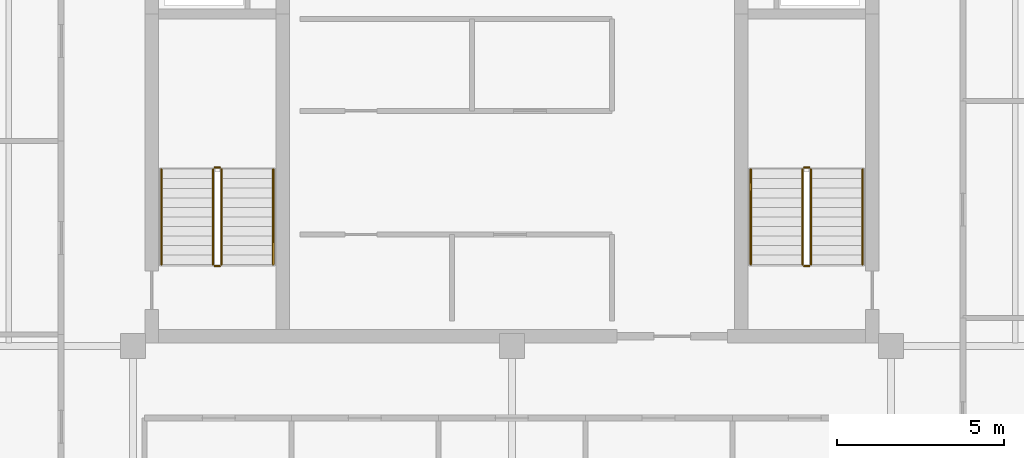
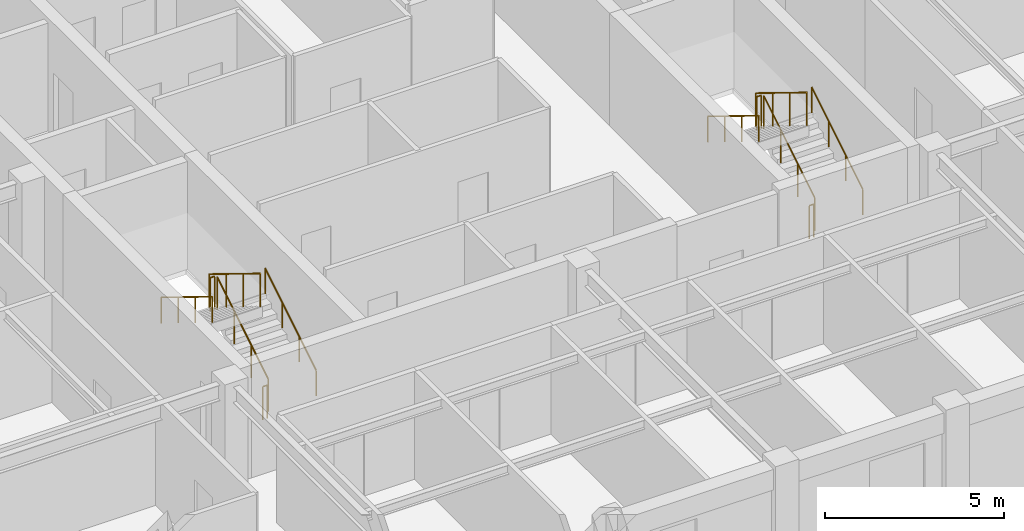
# One storey, part 6 of 6: 12 railings.
"""IFC4 building model written with IfcOpenShell, lengths in metres."""

from ifc_helpers import new_model, si_unit, direction, frame, origin, origin_2d, place, context, subcontext, project, spatial, circle, extrude, material, type_object, element, save


model = new_model("IFC4")

# Units and contexts
model_context = context("Model", 3, precision=1e-05, world=origin(), true_north=direction((0.0, 1.0)))
body_context = subcontext(model_context, "Body", "Model", "MODEL_VIEW")
ifc_project = project(units=[si_unit("LENGTHUNIT", "METRE"), si_unit("AREAUNIT", "SQUARE_METRE"), si_unit("VOLUMEUNIT", "CUBIC_METRE"), si_unit("PLANEANGLEUNIT", "RADIAN"), si_unit("MASSUNIT", "GRAM", prefix="KILO")], contexts=[model_context])

# Site, building, storey
site_placement = place(None, origin())
site = spatial("IfcSite", under=ifc_project, at=site_placement, CompositionType="ELEMENT")
building_placement = place(site_placement, origin())
building = spatial("IfcBuilding", under=site, at=building_placement, Name="Nhamokura Convention Tower", CompositionType="ELEMENT")
storey_placement = place(building_placement, frame((0.0, 0.0, 289.10009765625)))
storey = spatial("IfcBuildingStorey", under=building, at=storey_placement, Name="L71", CompositionType="ELEMENT", Elevation=289.10009765625)

# Railings
ifc_material_1 = material(Name="Anodised bronze stainless steel", Category="steel")
railing_type_1 = type_object("IfcRailingType", Name="StairWallHandrail_900", PredefinedType="HANDRAIL", material=ifc_material_1)
railing_1_placement = place(storey_placement, frame((24.85009765625, 23.10009765625, 0.1748046875)))
element("IfcRailing", 1, at=railing_1_placement, inside=storey, type_object=railing_type_1, Name="L71 ST-01 stair handrail 1", PredefinedType="HANDRAIL", context=body_context, shape_type="SweptSolid", body=[
    extrude(circle(Radius=0.02392578125, at=origin_2d()), frame((0.0, 0.0, 0.8759765625), z_axis=(0.0, 0.852159232446, 0.523282564737), x_axis=(-1.0, 0.0, 0.0)), (0.0, 0.0, 1.0), 3.34423828125),
    extrude(circle(Radius=0.02099609375, at=origin_2d()), origin(), (0.0, 0.0, 1.0), 0.851806640625),
    extrude(circle(Radius=0.02099609375, at=origin_2d()), frame((0.0, 0.949951171875, 0.583251953125)), (0.0, 0.0, 1.0), 0.851806640625),
    extrude(circle(Radius=0.02099609375, at=origin_2d()), frame((0.0, 1.89990234375, 1.166748046875)), (0.0, 0.0, 1.0), 0.851806640625),
    extrude(circle(Radius=0.02099609375, at=origin_2d()), frame((0.0, 2.849853515625, 1.75)), (0.0, 0.0, 1.0), 0.851806640625),
])
railing_2_placement = place(storey_placement, frame((21.5, 25.949951171875, 2.099853515625)))
element("IfcRailing", 2, at=railing_2_placement, inside=storey, type_object=railing_type_1, Name="L71 ST-01 stair handrail 2", PredefinedType="HANDRAIL", context=body_context, shape_type="SweptSolid", body=[
    extrude(circle(Radius=0.02392578125, at=origin_2d()), frame((0.0, 0.0, 0.8759765625), z_axis=(0.0, -0.852159232446, 0.523282564737), x_axis=(1.0, 0.0, 0.0)), (0.0, 0.0, 1.0), 3.34423828125),
    extrude(circle(Radius=0.02099609375, at=origin_2d()), origin(), (0.0, 0.0, 1.0), 0.851806640625),
    extrude(circle(Radius=0.02099609375, at=origin_2d()), frame((0.0, -0.949951171875, 0.583251953125)), (0.0, 0.0, 1.0), 0.851806640625),
    extrude(circle(Radius=0.02099609375, at=origin_2d()), frame((0.0, -1.89990234375, 1.166748046875)), (0.0, 0.0, 1.0), 0.851806640625),
    extrude(circle(Radius=0.02099609375, at=origin_2d()), frame((0.0, -2.849853515625, 1.75)), (0.0, 0.0, 1.0), 0.851806640625),
])
railing_3_placement = place(storey_placement, frame((42.5, 23.10009765625, 0.1748046875)))
element("IfcRailing", 3, at=railing_3_placement, inside=storey, type_object=railing_type_1, Name="L71 ST-02 stair handrail 1", PredefinedType="HANDRAIL", context=body_context, shape_type="SweptSolid", body=[
    extrude(circle(Radius=0.02392578125, at=origin_2d()), frame((0.0, 0.0, 0.8759765625), z_axis=(0.0, 0.852159232446, 0.523282564737), x_axis=(-1.0, 0.0, 0.0)), (0.0, 0.0, 1.0), 3.34423828125),
    extrude(circle(Radius=0.02099609375, at=origin_2d()), origin(), (0.0, 0.0, 1.0), 0.851806640625),
    extrude(circle(Radius=0.02099609375, at=origin_2d()), frame((0.0, 0.949951171875, 0.583251953125)), (0.0, 0.0, 1.0), 0.851806640625),
    extrude(circle(Radius=0.02099609375, at=origin_2d()), frame((0.0, 1.89990234375, 1.166748046875)), (0.0, 0.0, 1.0), 0.851806640625),
    extrude(circle(Radius=0.02099609375, at=origin_2d()), frame((0.0, 2.849853515625, 1.75)), (0.0, 0.0, 1.0), 0.851806640625),
])
railing_4_placement = place(storey_placement, frame((39.14990234375, 25.949951171875, 2.099853515625)))
element("IfcRailing", 4, at=railing_4_placement, inside=storey, type_object=railing_type_1, Name="L71 ST-02 stair handrail 2", PredefinedType="HANDRAIL", context=body_context, shape_type="SweptSolid", body=[
    extrude(circle(Radius=0.02392578125, at=origin_2d()), frame((0.0, 0.0, 0.8759765625), z_axis=(0.0, -0.852159232446, 0.523282564737), x_axis=(1.0, 0.0, 0.0)), (0.0, 0.0, 1.0), 3.34423828125),
    extrude(circle(Radius=0.02099609375, at=origin_2d()), origin(), (0.0, 0.0, 1.0), 0.851806640625),
    extrude(circle(Radius=0.02099609375, at=origin_2d()), frame((0.0, -0.949951171875, 0.583251953125)), (0.0, 0.0, 1.0), 0.851806640625),
    extrude(circle(Radius=0.02099609375, at=origin_2d()), frame((0.0, -1.89990234375, 1.166748046875)), (0.0, 0.0, 1.0), 0.851806640625),
    extrude(circle(Radius=0.02099609375, at=origin_2d()), frame((0.0, -2.849853515625, 1.75)), (0.0, 0.0, 1.0), 0.851806640625),
])
ifc_material_2 = material(Name="Painted tubular steel", Category="steel")
railing_type_2 = type_object("IfcRailingType", Name="StairWellGuardrail_1150", PredefinedType="GUARDRAIL", material=ifc_material_2)
railing_5_placement = place(storey_placement, frame((23.300048828125, 23.10009765625, 0.1748046875)))
element("IfcRailing", 5, at=railing_5_placement, inside=storey, type_object=railing_type_2, Name="L71 ST-01 stair guard 1", PredefinedType="GUARDRAIL", context=body_context, shape_type="SweptSolid", body=[
    extrude(circle(Radius=0.02392578125, at=origin_2d()), frame((0.0, 0.0, 1.1259765625), z_axis=(0.0, 0.852159232446, 0.523282564737), x_axis=(-1.0, 0.0, 0.0)), (0.0, 0.0, 1.0), 3.34423828125),
    extrude(circle(Radius=0.02099609375, at=origin_2d()), origin(), (0.0, 0.0, 1.0), 1.101806640625),
    extrude(circle(Radius=0.02099609375, at=origin_2d()), frame((0.0, 0.949951171875, 0.583251953125)), (0.0, 0.0, 1.0), 1.101806640625),
    extrude(circle(Radius=0.02099609375, at=origin_2d()), frame((0.0, 1.89990234375, 1.166748046875)), (0.0, 0.0, 1.0), 1.101806640625),
    extrude(circle(Radius=0.02099609375, at=origin_2d()), frame((0.0, 2.849853515625, 1.75)), (0.0, 0.0, 1.0), 1.101806640625),
])
railing_6_placement = place(storey_placement, frame((23.25, 26.0, 1.9248046875)))
element("IfcRailing", 6, at=railing_6_placement, inside=storey, type_object=railing_type_2, Name="L71 ST-01 stair guard 2", PredefinedType="GUARDRAIL", context=body_context, shape_type="SweptSolid", body=[
    extrude(circle(Radius=0.02392578125, at=origin_2d()), frame((0.0, 0.0, 1.1259765625), z_axis=(-1.0, 0.0, 0.0), x_axis=(0.0, -1.0, 0.0)), (0.0, 0.0, 1.0), 0.14990234375),
    extrude(circle(Radius=0.02099609375, at=origin_2d()), origin(), (0.0, 0.0, 1.0), 1.101806640625),
    extrude(circle(Radius=0.02099609375, at=origin_2d()), frame((-0.14990234375, 0.0, 0.0)), (0.0, 0.0, 1.0), 1.101806640625),
])
railing_7_placement = place(storey_placement, frame((23.050048828125, 25.949951171875, 2.099853515625)))
element("IfcRailing", 7, at=railing_7_placement, inside=storey, type_object=railing_type_2, Name="L71 ST-01 stair guard 3", PredefinedType="GUARDRAIL", context=body_context, shape_type="SweptSolid", body=[
    extrude(circle(Radius=0.02392578125, at=origin_2d()), frame((0.0, 0.0, 1.1259765625), z_axis=(0.0, -0.852159232446, 0.523282564737), x_axis=(1.0, 0.0, 0.0)), (0.0, 0.0, 1.0), 3.34423828125),
    extrude(circle(Radius=0.02099609375, at=origin_2d()), origin(), (0.0, 0.0, 1.0), 1.101806640625),
    extrude(circle(Radius=0.02099609375, at=origin_2d()), frame((0.0, -0.949951171875, 0.583251953125)), (0.0, 0.0, 1.0), 1.101806640625),
    extrude(circle(Radius=0.02099609375, at=origin_2d()), frame((0.0, -1.89990234375, 1.166748046875)), (0.0, 0.0, 1.0), 1.101806640625),
    extrude(circle(Radius=0.02099609375, at=origin_2d()), frame((0.0, -2.849853515625, 1.75)), (0.0, 0.0, 1.0), 1.101806640625),
])
railing_8_placement = place(storey_placement, frame((23.25, 23.050048828125, 0.0)))
element("IfcRailing", 8, at=railing_8_placement, inside=storey, type_object=railing_type_2, Name="L71 ST-01 stair guard 4", PredefinedType="GUARDRAIL", context=body_context, shape_type="SweptSolid", body=[
    extrude(circle(Radius=0.02392578125, at=origin_2d()), frame((0.0, 0.0, 1.1259765625), z_axis=(-1.0, 0.0, 0.0), x_axis=(0.0, -1.0, 0.0)), (0.0, 0.0, 1.0), 0.14990234375),
    extrude(circle(Radius=0.02099609375, at=origin_2d()), origin(), (0.0, 0.0, 1.0), 1.101806640625),
    extrude(circle(Radius=0.02099609375, at=origin_2d()), frame((-0.14990234375, 0.0, 0.0)), (0.0, 0.0, 1.0), 1.101806640625),
])
railing_9_placement = place(storey_placement, frame((40.949951171875, 23.10009765625, 0.1748046875)))
element("IfcRailing", 9, at=railing_9_placement, inside=storey, type_object=railing_type_2, Name="L71 ST-02 stair guard 1", PredefinedType="GUARDRAIL", context=body_context, shape_type="SweptSolid", body=[
    extrude(circle(Radius=0.02392578125, at=origin_2d()), frame((0.0, 0.0, 1.1259765625), z_axis=(0.0, 0.852159232446, 0.523282564737), x_axis=(-1.0, 0.0, 0.0)), (0.0, 0.0, 1.0), 3.34423828125),
    extrude(circle(Radius=0.02099609375, at=origin_2d()), origin(), (0.0, 0.0, 1.0), 1.101806640625),
    extrude(circle(Radius=0.02099609375, at=origin_2d()), frame((0.0, 0.949951171875, 0.583251953125)), (0.0, 0.0, 1.0), 1.101806640625),
    extrude(circle(Radius=0.02099609375, at=origin_2d()), frame((0.0, 1.89990234375, 1.166748046875)), (0.0, 0.0, 1.0), 1.101806640625),
    extrude(circle(Radius=0.02099609375, at=origin_2d()), frame((0.0, 2.849853515625, 1.75)), (0.0, 0.0, 1.0), 1.101806640625),
])
railing_10_placement = place(storey_placement, frame((40.89990234375, 26.0, 1.9248046875)))
element("IfcRailing", 10, at=railing_10_placement, inside=storey, type_object=railing_type_2, Name="L71 ST-02 stair guard 2", PredefinedType="GUARDRAIL", context=body_context, shape_type="SweptSolid", body=[
    extrude(circle(Radius=0.02392578125, at=origin_2d()), frame((0.0, 0.0, 1.1259765625), z_axis=(-1.0, 0.0, 0.0), x_axis=(0.0, -1.0, 0.0)), (0.0, 0.0, 1.0), 0.14990234375),
    extrude(circle(Radius=0.02099609375, at=origin_2d()), origin(), (0.0, 0.0, 1.0), 1.101806640625),
    extrude(circle(Radius=0.02099609375, at=origin_2d()), frame((-0.14990234375, 0.0, 0.0)), (0.0, 0.0, 1.0), 1.101806640625),
])
railing_11_placement = place(storey_placement, frame((40.699951171875, 25.949951171875, 2.099853515625)))
element("IfcRailing", 11, at=railing_11_placement, inside=storey, type_object=railing_type_2, Name="L71 ST-02 stair guard 3", PredefinedType="GUARDRAIL", context=body_context, shape_type="SweptSolid", body=[
    extrude(circle(Radius=0.02392578125, at=origin_2d()), frame((0.0, 0.0, 1.1259765625), z_axis=(0.0, -0.852159232446, 0.523282564737), x_axis=(1.0, 0.0, 0.0)), (0.0, 0.0, 1.0), 3.34423828125),
    extrude(circle(Radius=0.02099609375, at=origin_2d()), origin(), (0.0, 0.0, 1.0), 1.101806640625),
    extrude(circle(Radius=0.02099609375, at=origin_2d()), frame((0.0, -0.949951171875, 0.583251953125)), (0.0, 0.0, 1.0), 1.101806640625),
    extrude(circle(Radius=0.02099609375, at=origin_2d()), frame((0.0, -1.89990234375, 1.166748046875)), (0.0, 0.0, 1.0), 1.101806640625),
    extrude(circle(Radius=0.02099609375, at=origin_2d()), frame((0.0, -2.849853515625, 1.75)), (0.0, 0.0, 1.0), 1.101806640625),
])
railing_12_placement = place(storey_placement, frame((40.89990234375, 23.050048828125, 0.0)))
element("IfcRailing", 12, at=railing_12_placement, inside=storey, type_object=railing_type_2, Name="L71 ST-02 stair guard 4", PredefinedType="GUARDRAIL", context=body_context, shape_type="SweptSolid", body=[
    extrude(circle(Radius=0.02392578125, at=origin_2d()), frame((0.0, 0.0, 1.1259765625), z_axis=(-1.0, 0.0, 0.0), x_axis=(0.0, -1.0, 0.0)), (0.0, 0.0, 1.0), 0.14990234375),
    extrude(circle(Radius=0.02099609375, at=origin_2d()), origin(), (0.0, 0.0, 1.0), 1.101806640625),
    extrude(circle(Radius=0.02099609375, at=origin_2d()), frame((-0.14990234375, 0.0, 0.0)), (0.0, 0.0, 1.0), 1.101806640625),
])

save(model, "model.ifc")
